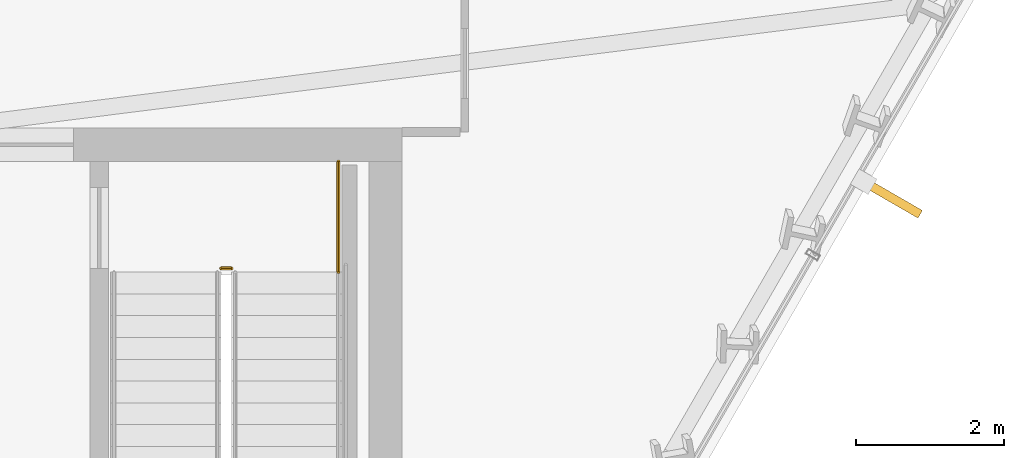
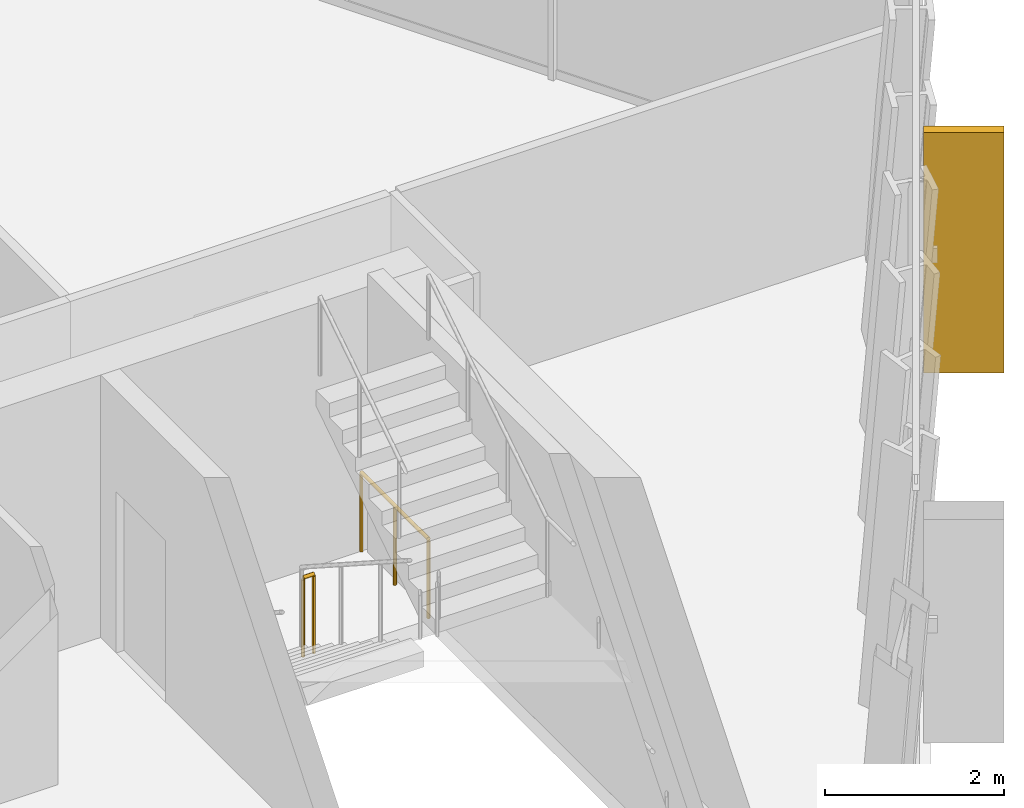
# One storey, part 32 of 33: 2 railings, 1 shading device.
"""IFC4 building model written with IfcOpenShell, lengths in metres."""

from ifc_helpers import new_model, si_unit, direction, frame, origin, origin_2d, place, context, subcontext, project, spatial, rectangle, circle, extrude, material, layer, layer_set, type_object, element, save


model = new_model("IFC4")

# Units and contexts
model_context = context("Model", 3, precision=1e-05, world=origin(), true_north=direction((0.0, 1.0)))
body_context = subcontext(model_context, "Body", "Model", "MODEL_VIEW")
ifc_project = project(units=[si_unit("LENGTHUNIT", "METRE"), si_unit("AREAUNIT", "SQUARE_METRE"), si_unit("VOLUMEUNIT", "CUBIC_METRE"), si_unit("PLANEANGLEUNIT", "RADIAN"), si_unit("MASSUNIT", "GRAM", prefix="KILO")], contexts=[model_context])

# Site, building, storey
site_placement = place(None, origin())
site = spatial("IfcSite", under=ifc_project, at=site_placement, CompositionType="ELEMENT")
building_placement = place(site_placement, origin())
building = spatial("IfcBuilding", under=site, at=building_placement, Name="Ndaravel Arena Tower", CompositionType="ELEMENT")
storey_placement = place(building_placement, frame((0.0, 0.0, 89.199951171875)))
storey = spatial("IfcBuildingStorey", under=building, at=storey_placement, Name="L20", CompositionType="ELEMENT", Elevation=89.199951171875)

# Railings
ifc_material_1 = material(Name="Steel S355", Category="steel")
ifc_layer = layer(ifc_material_1, 0.06005859375)
ifc_layer_set = layer_set([ifc_layer], Name="Steel S355")
railing_type = type_object("IfcRailingType", Name="RAIL-STAIR-GD1100", PredefinedType="GUARDRAIL", material=ifc_layer_set)
railing_1_placement = place(storey_placement, frame((55.10009765625, 13.300048828125, 0.0)))
element("IfcRailing", 1, at=railing_1_placement, inside=storey, type_object=railing_type, Name="L20 ST-3 stair guard 4", PredefinedType="GUARDRAIL", context=body_context, shape_type="SweptSolid", body=[
    extrude(circle(Radius=0.02392578125, at=origin_2d()), frame((0.0, 0.0, 1.076171875), z_axis=(1.0, 0.0, 0.0), x_axis=(0.0, 1.0, 0.0)), (0.0, 0.0, 1.0), 0.139892578125),
    extrude(circle(Radius=0.02099609375, at=origin_2d()), origin(), (0.0, 0.0, 1.0), 1.052001953125),
    extrude(circle(Radius=0.02099609375, at=origin_2d()), frame((0.139892578125, 0.0, 0.0)), (0.0, 0.0, 1.0), 1.052001953125),
])
railing_2_placement = place(storey_placement, frame((56.68994140625, 14.75, 0.0)))
element("IfcRailing", 2, at=railing_2_placement, inside=storey, type_object=railing_type, Name="L20 ST-3 stair guard 5", PredefinedType="GUARDRAIL", context=body_context, shape_type="SweptSolid", body=[
    extrude(circle(Radius=0.02392578125, at=origin_2d()), frame((0.0, 0.0, 1.076171875), z_axis=(0.0, -1.0, 0.0), x_axis=(1.0, 0.0, 0.0)), (0.0, 0.0, 1.0), 1.5),
    extrude(circle(Radius=0.02099609375, at=origin_2d()), origin(), (0.0, 0.0, 1.0), 1.052001953125),
    extrude(circle(Radius=0.02099609375, at=origin_2d()), frame((0.0, -0.75, 0.0)), (0.0, 0.0, 1.0), 1.052001953125),
    extrude(circle(Radius=0.02099609375, at=origin_2d()), frame((0.0, -1.5, 0.0)), (0.0, 0.0, 1.0), 1.052001953125),
])

# Shading device
ifc_material_2 = material(Name="Masonry", Category="masonry")
shading_device_type = type_object("IfcShadingDeviceType", Name="SHD-MAZERAS-FIN", PredefinedType="SHUTTER", material=ifc_material_2)
shading_device_placement = place(storey_placement, frame((64.1787109375, 14.2587890625, 0.14990234375), z_axis=(0.0, 0.0, 1.0), x_axis=(0.866025403784, -0.5, 0.0)))
element("IfcShadingDevice", 3, at=shading_device_placement, inside=storey, type_object=shading_device_type, Name="L20 Mazeras Stone Solar Fin E2.2", PredefinedType="SHUTTER", context=body_context, shape_type="SweptSolid", body=[
    extrude(rectangle(XDim=0.89990234375, YDim=0.1201171875, at=origin_2d()), origin(), (0.0, 0.0, 1.0), 3.280029296875),
])

save(model, "model.ifc")
